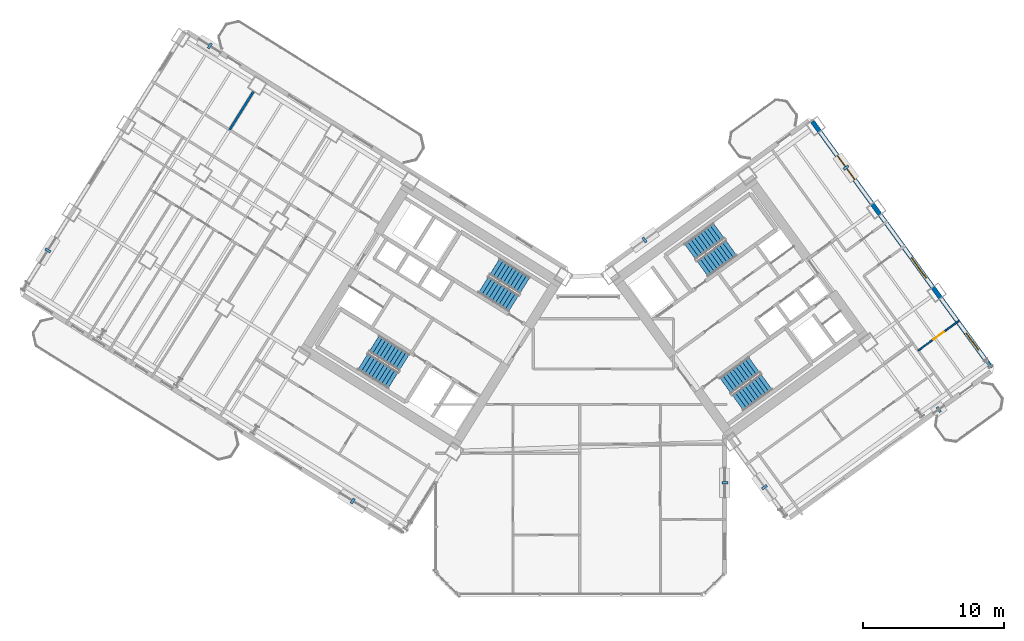
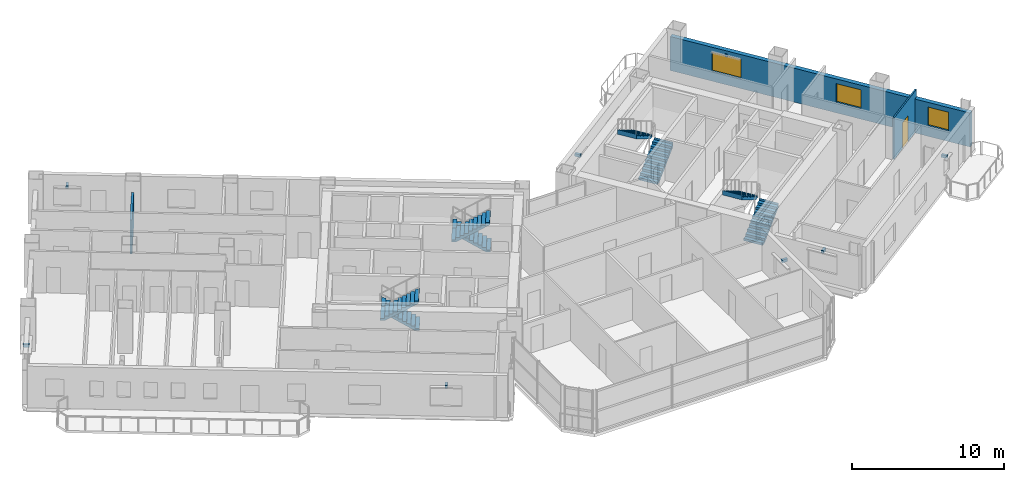
# One storey, part 20 of 24: 8 discrete accessories, 8 stair flights, 3 walls, 3 windows, 1 door, 4 openings, 4 elements without a shape of their own.
"""IFC4 building model written with IfcOpenShell, lengths in metres."""

from ifc_helpers import new_model, si_unit, direction, frame, frame_2d, origin, origin_2d, place, context, subcontext, project, spatial, polyline, rectangle, outline, extrude, source, transform, mapped, material, layer, layer_set, type_object, element, fill, aggregate, save


model = new_model("IFC4")

# Units and contexts
model_context = context("Model", 3, precision=1e-05, world=origin(), true_north=direction((0.0, 1.0)))
body_context = subcontext(model_context, "Body", "Model", "MODEL_VIEW")
ifc_project = project(units=[si_unit("LENGTHUNIT", "METRE"), si_unit("AREAUNIT", "SQUARE_METRE"), si_unit("VOLUMEUNIT", "CUBIC_METRE"), si_unit("PLANEANGLEUNIT", "RADIAN"), si_unit("MASSUNIT", "GRAM", prefix="KILO")], contexts=[model_context])

# Site, building, storey
site_placement = place(None, origin())
site = spatial("IfcSite", under=ifc_project, at=site_placement, CompositionType="ELEMENT")
building_placement = place(site_placement, origin())
building = spatial("IfcBuilding", under=site, at=building_placement, Name="Tlacorven Tower", CompositionType="ELEMENT")
storey_placement = place(building_placement, frame((0.0, 0.0, 31.199951171875)))
storey = spatial("IfcBuildingStorey", under=building, at=storey_placement, Name="L07", CompositionType="ELEMENT", Elevation=31.199951171875)

# Wall
ifc_material_1 = material(Name="Gypsum plasterboard acoustic partition", Category="gypsum")
ifc_layer_1 = layer(ifc_material_1, 0.159912109375)
ifc_layer_set_1 = layer_set([ifc_layer_1], Name="Gypsum plasterboard acoustic partition")
wall_type_1 = type_object("IfcWallType", Name="WL-DEM-160", PredefinedType="PARTITIONING", material=ifc_layer_set_1)
wall_1_placement = place(storey_placement, frame((18.799072265625, 37.601806640625, 0.0), z_axis=(0.0, 0.0, 1.0), x_axis=(-0.529930102756, -0.848041323399, 0.0)))
element("IfcWall", 1, at=wall_1_placement, inside=storey, type_object=wall_type_1, Name="L07 partition 68", PredefinedType="PARTITIONING", context=body_context, shape_type="SweptSolid", body=[
    extrude(rectangle(XDim=3.18798828125, YDim=0.159912109375, at=frame_2d((1.593994140625, 0.0))), origin(), (0.0, 0.0, 1.0), 2.72509765625),
])

# Wall, openings, windows
ifc_material_2 = material(Name="Precast concrete C45/55", Category="concrete")
ifc_layer_2 = layer(ifc_material_2, 0.320068359375)
ifc_layer_set_2 = layer_set([ifc_layer_2], Name="Precast concrete C45/55")
wall_type_2 = type_object("IfcWallType", Name="WL-EXT-320", PredefinedType="STANDARD", material=ifc_layer_set_2)
wall_2_placement = place(storey_placement, frame((58.45458984375, 35.483642578125, 0.0), z_axis=(0.0, 0.0, 1.0), x_axis=(0.587783625747, -0.809018176127, 0.0)))
wall_2 = element("IfcWall", 2, at=wall_2_placement, inside=storey, type_object=wall_type_2, Name="L07 Masonry-Frame Recessed Facade Wall 5", PredefinedType="STANDARD", context=body_context, shape_type="SweptSolid", body=[
    extrude(rectangle(XDim=21.58740234375, YDim=0.320068359375, at=frame_2d((10.793701171875, 0.0))), origin(), (0.0, 0.0, 1.0), 2.72509765625),
])
opening_1_placement = place(wall_2_placement, frame((2.99365234375, 0.0, 0.800048828125)))
opening_1 = element("IfcOpeningElement", 3, at=opening_1_placement, cuts=wall_2, Name="Opening WN04", PredefinedType="OPENING", context=body_context, shape_type="SweptSolid", body=[
    extrude(rectangle(XDim=2.10009765625, YDim=1.550048828125, at=frame_2d((1.050048828125, 0.77490234375))), frame((0.0, 0.169921875, 0.0), z_axis=(0.0, -1.0, 0.0), x_axis=(1.0, 0.0, 0.0)), (0.0, 0.0, 1.0), 0.340087890625),
])
opening_2_placement = place(wall_2_placement, frame((11.93359375, 0.0, 0.85009765625)))
opening_2 = element("IfcOpeningElement", 4, at=opening_2_placement, cuts=wall_2, Name="Opening WN01", PredefinedType="OPENING", context=body_context, shape_type="SweptSolid", body=[
    extrude(rectangle(XDim=1.800048828125, YDim=1.5, at=frame_2d((0.89990234375, 0.75))), frame((0.0, 0.169921875, 0.0), z_axis=(0.0, -1.0, 0.0), x_axis=(1.0, 0.0, 0.0)), (0.0, 0.0, 1.0), 0.340087890625),
])
opening_3_placement = place(wall_2_placement, frame((18.53466796875, 0.0, 0.85009765625)))
opening_3 = element("IfcOpeningElement", 5, at=opening_3_placement, cuts=wall_2, Name="Opening WN02", PredefinedType="OPENING", context=body_context, shape_type="SweptSolid", body=[
    extrude(rectangle(XDim=1.5, YDim=1.5, at=frame_2d((0.75, 0.75))), frame((0.0, 0.169921875, 0.0), z_axis=(0.0, -1.0, 0.0), x_axis=(1.0, 0.0, 0.0)), (0.0, 0.0, 1.0), 0.340087890625),
])
ifc_material_3 = material(Name="Dark solar low-E double glazing in anodised aluminium frame", Category="aluminium")
window_type_1 = type_object("IfcWindowType", Name="WN-APT-2100X1750", PartitioningType="SINGLE_PANEL", PredefinedType="WINDOW", material=ifc_material_3)
shared_shape_1 = source(origin(), body_context, "Body", "SweptSolid", [
    extrude(rectangle(XDim=2.10009765625, YDim=1.550048828125, at=frame_2d((1.050048828125, 0.77490234375))), frame((0.0, 0.030029296875, 0.0), z_axis=(0.0, -1.0, 0.0), x_axis=(1.0, 0.0, 0.0)), (0.0, 0.0, 1.0), 0.06005859375),
])
window_1_placement = place(opening_1_placement, origin())
window_1 = element("IfcWindow", 6, at=window_1_placement, inside=storey, type_object=window_type_1, Name="L07 Recessed Masonry-Frame Window L07-05.1", OverallHeight=1.550048828125, OverallWidth=2.10009765625, PartitioningType="SINGLE_PANEL", PredefinedType="WINDOW", context=body_context, shape_type="MappedRepresentation", body=[
    mapped(shared_shape_1, transform((0.0, 0.0, 0.0), scale=1.0)),
])
fill(opening_1, window_1)
window_type_2 = type_object("IfcWindowType", Name="WN-APT-1800X1650", PartitioningType="SINGLE_PANEL", PredefinedType="WINDOW", material=ifc_material_3)
shared_shape_2 = source(origin(), body_context, "Body", "SweptSolid", [
    extrude(rectangle(XDim=1.800048828125, YDim=1.5, at=frame_2d((0.89990234375, 0.75))), frame((0.0, 0.030029296875, 0.0), z_axis=(0.0, -1.0, 0.0), x_axis=(1.0, 0.0, 0.0)), (0.0, 0.0, 1.0), 0.06005859375),
])
window_2_placement = place(opening_2_placement, origin())
window_2 = element("IfcWindow", 7, at=window_2_placement, inside=storey, type_object=window_type_2, Name="L07 Recessed Masonry-Frame Window L07-05.2", OverallHeight=1.5, OverallWidth=1.800048828125, PartitioningType="SINGLE_PANEL", PredefinedType="WINDOW", context=body_context, shape_type="MappedRepresentation", body=[
    mapped(shared_shape_2, transform((0.0, 0.0, 0.0), scale=1.0)),
])
fill(opening_2, window_2)
window_type_3 = type_object("IfcWindowType", Name="WN-APT-1500X1650", PartitioningType="SINGLE_PANEL", PredefinedType="WINDOW", material=ifc_material_3)
shared_shape_3 = source(origin(), body_context, "Body", "SweptSolid", [
    extrude(rectangle(XDim=1.5, YDim=1.5, at=frame_2d((0.75, 0.75))), frame((0.0, 0.030029296875, 0.0), z_axis=(0.0, -1.0, 0.0), x_axis=(1.0, 0.0, 0.0)), (0.0, 0.0, 1.0), 0.06005859375),
])
window_3_placement = place(opening_3_placement, origin())
window_3 = element("IfcWindow", 8, at=window_3_placement, inside=storey, type_object=window_type_3, Name="L07 Recessed Masonry-Frame Window L07-05.3", OverallHeight=1.5, OverallWidth=1.5, PartitioningType="SINGLE_PANEL", PredefinedType="WINDOW", context=body_context, shape_type="MappedRepresentation", body=[
    mapped(shared_shape_3, transform((0.0, 0.0, 0.0), scale=1.0)),
])
fill(opening_3, window_3)

# Wall, opening, door
ifc_material_4 = material(Name="Gypsum plasterboard partition", Category="gypsum")
ifc_layer_3 = layer(ifc_material_4, 0.110107421875)
ifc_layer_set_3 = layer_set([ifc_layer_3], Name="Gypsum plasterboard partition")
wall_type_3 = type_object("IfcWallType", Name="WL-INT-110", PredefinedType="PARTITIONING", material=ifc_layer_set_3)
wall_3_placement = place(storey_placement, frame((65.9443359375, 19.237548828125, 0.0), z_axis=(0.0, 0.0, 1.0), x_axis=(0.809013833588, 0.587789602718, 0.0)))
wall_3 = element("IfcWall", 9, at=wall_3_placement, inside=storey, type_object=wall_type_3, Name="L07 partition 97", PredefinedType="PARTITIONING", context=body_context, shape_type="SweptSolid", body=[
    extrude(rectangle(XDim=3.60986328125, YDim=0.110107421875, at=frame_2d((1.804931640625, 0.0))), origin(), (0.0, 0.0, 1.0), 3.340087890625),
])
opening_4_placement = place(wall_3_placement, frame((1.344970703125, 0.0, 0.0)))
opening_4 = element("IfcOpeningElement", 10, at=opening_4_placement, cuts=wall_3, Name="Opening D12", PredefinedType="OPENING", context=body_context, shape_type="SweptSolid", body=[
    extrude(rectangle(XDim=0.919921875, YDim=2.080078125, at=frame_2d((0.4599609375, 1.0400390625))), frame((0.0, 0.06494140625, 0.0), z_axis=(0.0, -1.0, 0.0), x_axis=(1.0, 0.0, 0.0)), (0.0, 0.0, 1.0), 0.130126953125),
])
ifc_material_5 = material(Name="Powder-coated aluminium and timber door", Category="wood")
door_type = type_object("IfcDoorType", Name="DR-INT-ROOM-0920", OperationType="NOTDEFINED", PredefinedType="DOOR", material=ifc_material_5)
shared_shape_4 = source(origin(), body_context, "Body", "SweptSolid", [
    extrude(rectangle(XDim=0.919921875, YDim=2.080078125, at=frame_2d((0.4599609375, 1.0400390625))), frame((0.0, 0.02490234375, 0.0), z_axis=(0.0, -1.0, 0.0), x_axis=(1.0, 0.0, 0.0)), (0.0, 0.0, 1.0), 0.050048828125),
])
door_placement = place(opening_4_placement, origin())
door = element("IfcDoor", 11, at=door_placement, inside=storey, type_object=door_type, Name="L07 door 058", OperationType="SINGLE_SWING_LEFT", OverallHeight=2.080078125, OverallWidth=0.919921875, PredefinedType="DOOR", context=body_context, shape_type="MappedRepresentation", body=[
    mapped(shared_shape_4, transform((0.0, 0.0, 0.0), scale=1.0)),
])
fill(opening_4, door)

# Stair, stair flights
ifc_material_6 = material(Name="Concrete C40/50", Category="concrete")
stair_type = type_object("IfcStairType", Name="ST-CORE-DLG", PredefinedType="HALF_TURN_STAIR", material=ifc_material_6)
stair_1_placement = place(storey_placement, origin())
stair_1 = element("IfcStair", 12, at=stair_1_placement, inside=storey, type_object=stair_type, Name="L07 Protected Exit Stair West 1", PredefinedType="HALF_TURN_STAIR")
stair_flight_type = type_object("IfcStairFlightType", Name="SFL-RC-1380", PredefinedType="STRAIGHT", material=ifc_material_6)
shared_shape_5 = source(origin(), body_context, "Body", "SweptSolid", [
    extrude(outline(polyline([(-0.0029296875, -0.0029296875), (-0.0029296875, 0.179931640625), (0.280029296875, 0.179931640625), (0.280029296875, 0.360107421875), (0.56005859375, 0.360107421875), (0.56005859375, 0.5400390625), (0.840087890625, 0.5400390625), (0.840087890625, 0.719970703125), (1.1201171875, 0.719970703125), (1.1201171875, 0.89990234375), (1.39990234375, 0.89990234375), (1.39990234375, 1.080078125), (1.679931640625, 1.080078125), (1.679931640625, 1.260009765625), (1.9599609375, 1.260009765625), (1.9599609375, 1.43994140625), (2.239990234375, 1.43994140625), (2.239990234375, 1.6201171875), (2.52001953125, 1.6201171875), (2.52001953125, 1.800048828125), (2.52294921875, 1.800048828125), (2.52294921875, 1.429931640625), (2.52001953125, 1.429931640625), (0.295654296875, 0.0), (0.295654296875, -0.0029296875), (-0.0029296875, -0.0029296875)])), frame((0.0, 0.68994140625, 0.0), z_axis=(0.0, -1.0, 0.0), x_axis=(1.0, 0.0, 0.0)), (0.0, 0.0, 1.0), 1.3798828125),
])
stair_flight_1_placement = place(storey_placement, frame((29.499755859375, 18.39453125, 0.0), z_axis=(0.0, 0.0, 1.0), x_axis=(-0.848048096156, 0.529919264233, 0.0)))
stair_flight_1 = element("IfcStairFlight", 13, at=stair_flight_1_placement, type_object=stair_flight_type, Name="ST-W1 flight 1", NumberOfRisers=10, NumberOfTreads=9, PredefinedType="STRAIGHT", RiserHeight=0.18, TreadLength=0.28, context=body_context, shape_type="MappedRepresentation", body=[
    mapped(shared_shape_5, transform((0.0, 0.0, 0.0), scale=1.0)),
])
stair_flight_2_placement = place(storey_placement, frame((26.56787109375, 18.4580078125, 1.800048828125), z_axis=(0.0, 0.0, 1.0), x_axis=(0.848048096156, -0.529919264233, 0.0)))
stair_flight_2 = element("IfcStairFlight", 14, at=stair_flight_2_placement, type_object=stair_flight_type, Name="ST-W1 flight 2", NumberOfRisers=10, NumberOfTreads=9, PredefinedType="STRAIGHT", RiserHeight=0.18, TreadLength=0.28, context=body_context, shape_type="MappedRepresentation", body=[
    mapped(shared_shape_5, transform((0.0, 0.0, 0.0), scale=1.0)),
])
aggregate(stair_1, [stair_flight_1, stair_flight_2])

stair_2_placement = place(storey_placement, origin())
stair_2 = element("IfcStair", 15, at=stair_2_placement, inside=storey, type_object=stair_type, Name="L07 Protected Exit Stair West 2", PredefinedType="HALF_TURN_STAIR")
stair_flight_3_placement = place(storey_placement, frame((38.051513671875, 23.852294921875, 0.0), z_axis=(0.0, 0.0, 1.0), x_axis=(-0.848048096156, 0.529919264233, 0.0)))
stair_flight_3 = element("IfcStairFlight", 16, at=stair_flight_3_placement, type_object=stair_flight_type, Name="ST-W2 flight 1", NumberOfRisers=10, NumberOfTreads=9, PredefinedType="STRAIGHT", RiserHeight=0.18, TreadLength=0.28, context=body_context, shape_type="MappedRepresentation", body=[
    mapped(shared_shape_5, transform((0.0, 0.0, 0.0), scale=1.0)),
])
stair_flight_4_placement = place(storey_placement, frame((35.119384765625, 23.91552734375, 1.800048828125), z_axis=(0.0, 0.0, 1.0), x_axis=(0.848048096156, -0.529919264233, 0.0)))
stair_flight_4 = element("IfcStairFlight", 17, at=stair_flight_4_placement, type_object=stair_flight_type, Name="ST-W2 flight 2", NumberOfRisers=10, NumberOfTreads=9, PredefinedType="STRAIGHT", RiserHeight=0.18, TreadLength=0.28, context=body_context, shape_type="MappedRepresentation", body=[
    mapped(shared_shape_5, transform((0.0, 0.0, 0.0), scale=1.0)),
])
aggregate(stair_2, [stair_flight_3, stair_flight_4])

stair_3_placement = place(storey_placement, origin())
stair_3 = element("IfcStair", 18, at=stair_3_placement, inside=storey, type_object=stair_type, Name="L07 Protected Exit Stair East 1", PredefinedType="HALF_TURN_STAIR")
stair_flight_5_placement = place(storey_placement, frame((50.6533203125, 25.0400390625, 0.0), z_axis=(0.0, 0.0, 1.0), x_axis=(0.809016994375, 0.587785252292, 0.0)))
stair_flight_5 = element("IfcStairFlight", 19, at=stair_flight_5_placement, type_object=stair_flight_type, Name="ST-E1 flight 1", NumberOfRisers=10, NumberOfTreads=9, PredefinedType="STRAIGHT", RiserHeight=0.18, TreadLength=0.28, context=body_context, shape_type="MappedRepresentation", body=[
    mapped(shared_shape_5, transform((0.0, 0.0, 0.0), scale=1.0)),
])
stair_flight_6_placement = place(storey_placement, frame((51.810546875, 27.734619140625, 1.800048828125), z_axis=(0.0, 0.0, 1.0), x_axis=(-0.809016994375, -0.587785252292, 0.0)))
stair_flight_6 = element("IfcStairFlight", 20, at=stair_flight_6_placement, type_object=stair_flight_type, Name="ST-E1 flight 2", NumberOfRisers=10, NumberOfTreads=9, PredefinedType="STRAIGHT", RiserHeight=0.18, TreadLength=0.28, context=body_context, shape_type="MappedRepresentation", body=[
    mapped(shared_shape_5, transform((0.0, 0.0, 0.0), scale=1.0)),
])
aggregate(stair_3, [stair_flight_5, stair_flight_6])

stair_4_placement = place(storey_placement, origin())
stair_4 = element("IfcStair", 21, at=stair_4_placement, inside=storey, type_object=stair_type, Name="L07 Protected Exit Stair East 2", PredefinedType="HALF_TURN_STAIR")
stair_flight_7_placement = place(storey_placement, frame((53.157470703125, 15.536865234375, 0.0), z_axis=(0.0, 0.0, 1.0), x_axis=(0.809016994375, 0.587785252292, 0.0)))
stair_flight_7 = element("IfcStairFlight", 22, at=stair_flight_7_placement, type_object=stair_flight_type, Name="ST-E2 flight 1", NumberOfRisers=10, NumberOfTreads=9, PredefinedType="STRAIGHT", RiserHeight=0.18, TreadLength=0.28, context=body_context, shape_type="MappedRepresentation", body=[
    mapped(shared_shape_5, transform((0.0, 0.0, 0.0), scale=1.0)),
])
stair_flight_8_placement = place(storey_placement, frame((54.314453125, 18.231689453125, 1.800048828125), z_axis=(0.0, 0.0, 1.0), x_axis=(-0.809016994375, -0.587785252292, 0.0)))
stair_flight_8 = element("IfcStairFlight", 23, at=stair_flight_8_placement, type_object=stair_flight_type, Name="ST-E2 flight 2", NumberOfRisers=10, NumberOfTreads=9, PredefinedType="STRAIGHT", RiserHeight=0.18, TreadLength=0.28, context=body_context, shape_type="MappedRepresentation", body=[
    mapped(shared_shape_5, transform((0.0, 0.0, 0.0), scale=1.0)),
])
aggregate(stair_4, [stair_flight_7, stair_flight_8])

# Discrete accessories
ifc_material_7 = material(Name="Steel S355J2", Category="steel")
discrete_accessory_type = type_object("IfcDiscreteAccessoryType", Name="ACC-BRK-01", PredefinedType="BRACKET", material=ifc_material_7)
shared_shape_6 = source(origin(), body_context, "Body", "SweptSolid", [
    extrude(rectangle(XDim=0.179931640625, YDim=0.419921875, at=origin_2d()), origin(), (0.0, 0.0, 1.0), 0.219970703125),
])
for number, where, z_axis, x_axis, name in (
    (24, (25.8427734375, 8.569580078125, 2.2802734375), (0.0, 0.0, 1.0), (-0.84804812172, 0.529919223323, 0.0), "L07 Sunshade Bracket L07-01.1"),
    (25, (4.219482421875, 26.341064453125, 2.2802734375), (0.0, 0.0, 1.0), (0.529918940959, 0.84804829816, 0.0), "L07 Sunshade Bracket L07-02.1"),
    (26, (15.7041015625, 40.846923828125, 2.2802734375), (0.0, 0.0, 1.0), (0.84804812172, -0.529919223323, 0.0), "L07 Sunshade Bracket L07-03.1"),
    (27, (46.5419921875, 27.083740234375, 2.2802734375), (0.0, 0.0, 1.0), (0.809017097486, 0.587785110372, 0.0), "L07 Sunshade Bracket L07-04.1"),
    (28, (60.83154296875, 32.21240234375, 2.2802734375), (0.0, 0.0, 1.0), (0.587785363163, -0.809016913823, 0.0), "L07 Sunshade Bracket L07-05.1"),
    (29, (67.413818359375, 15.054443359375, 2.18017578125), (0.0, 0.0, 1.0), (-0.809017097486, -0.587785110372, 0.0), "L07 Sunshade Bracket L07-06.1"),
    (30, (55.04931640625, 9.54736328125, 2.2802734375), (0.0, 0.0, 1.0), (-0.587785622053, 0.809016725728, 0.0), "L07 Sunshade Bracket L07-07.1"),
    (31, (52.239990234375, 9.861572265625, 2.2802734375), (0.0, 0.0, 1.0), (0.0, -1.0, 0.0), "L07 Sunshade Bracket L07-08.1"),
):
    element("IfcDiscreteAccessory", number, at=place(storey_placement, frame(where, z_axis=z_axis, x_axis=x_axis)), inside=storey, type_object=discrete_accessory_type, Name=name, PredefinedType="BRACKET", context=body_context, shape_type="MappedRepresentation", body=[
        mapped(shared_shape_6, transform((0.0, 0.0, 0.0), scale=1.0)),
    ])

save(model, "model.ifc")
